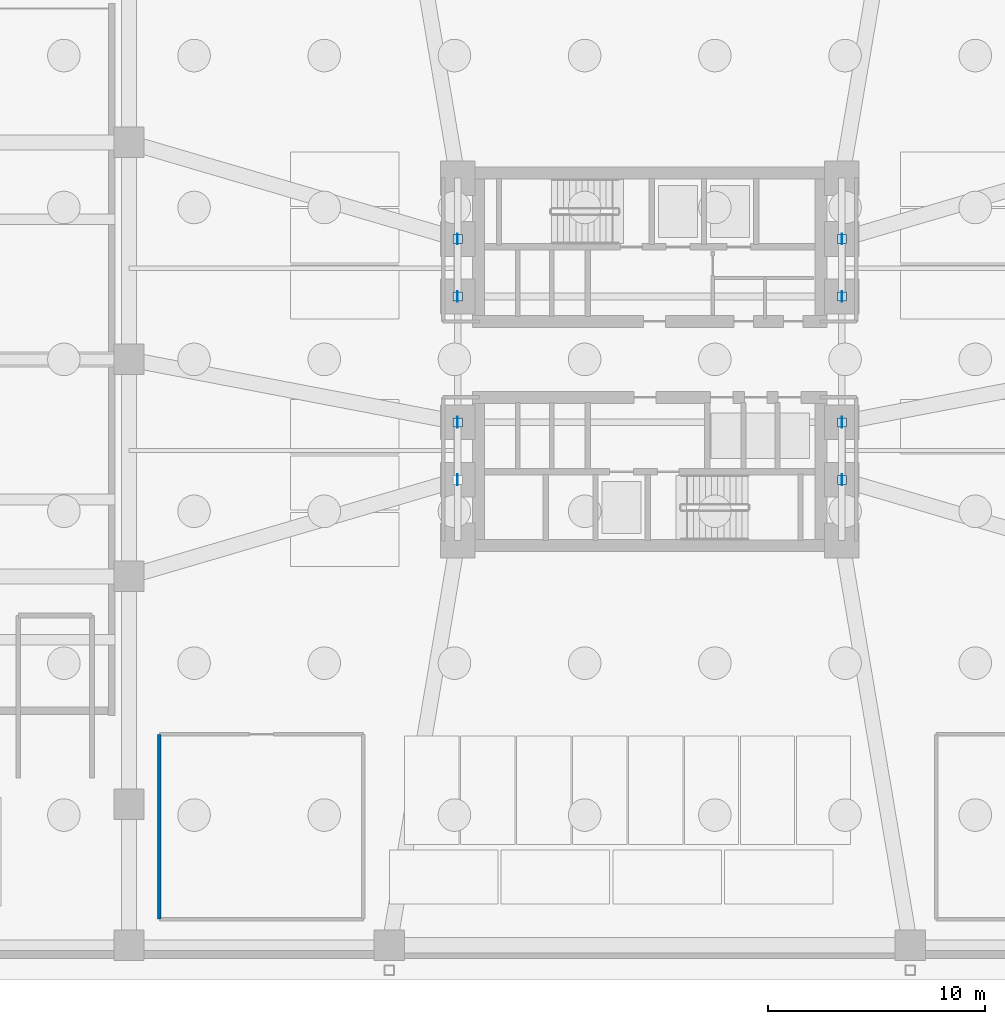
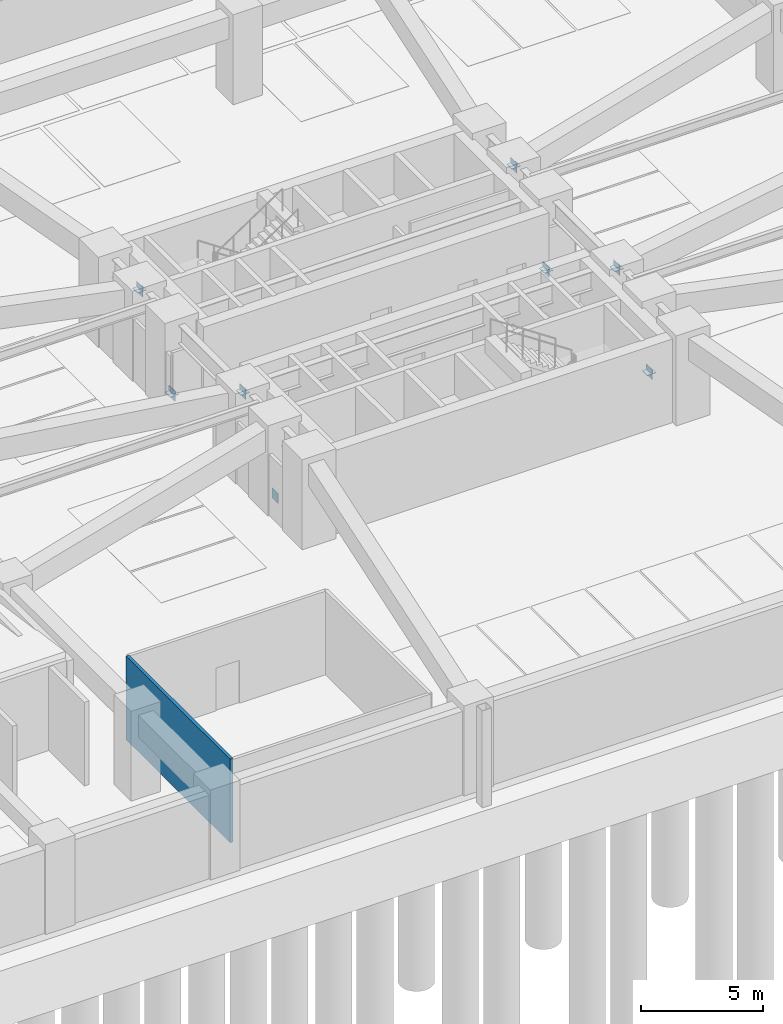
# One storey, part 5 of 14: 15 plates, 1 wall.
"""IFC4 building model written with IfcOpenShell, lengths in metres."""

from ifc_helpers import new_model, si_unit, direction, frame, frame_2d, origin, origin_2d, place, context, subcontext, project, spatial, rectangle, extrude, material, layer, layer_set, type_object, element, save


model = new_model("IFC4")

# Units and contexts
model_context = context("Model", 3, precision=1e-05, world=origin(), true_north=direction((0.0, 1.0)))
body_context = subcontext(model_context, "Body", "Model", "MODEL_VIEW")
ifc_project = project(units=[si_unit("LENGTHUNIT", "METRE"), si_unit("AREAUNIT", "SQUARE_METRE"), si_unit("VOLUMEUNIT", "CUBIC_METRE"), si_unit("PLANEANGLEUNIT", "RADIAN"), si_unit("MASSUNIT", "GRAM", prefix="KILO")], contexts=[model_context])

# Site, building, storey
site_placement = place(None, origin())
site = spatial("IfcSite", under=ifc_project, at=site_placement, CompositionType="ELEMENT")
building_placement = place(site_placement, origin())
building = spatial("IfcBuilding", under=site, at=building_placement, Name="Solmarez Civic Tower", CompositionType="ELEMENT")
storey_placement = place(building_placement, frame((0.0, 0.0, -9.0)))
storey = spatial("IfcBuildingStorey", under=building, at=storey_placement, Name="B2", CompositionType="ELEMENT", Elevation=-9.0)

# Plates
ifc_material_1 = material(Name="Steel S355", Category="steel")
ifc_layer_1 = layer(ifc_material_1, 0.02392578125)
ifc_layer_set_1 = layer_set([ifc_layer_1], Name="Steel S355")
plate_type_1 = type_object("IfcPlateType", Name="PLT-CAP-380", PredefinedType="USERDEFINED", material=ifc_layer_set_1)
for number, where, z_axis, x_axis, name in (
    (1, (-8.85009765625, -2.89990234375, 3.838134765625), (0.0, 0.0, 1.0), (1.0, 0.0, 0.0), "Steel Member End Cap Plate CAP-BRC-B2-CORE-1-1"),
    (2, (-8.85009765625, 2.89990234375, 0.238037109375), (0.0, 0.0, 1.0), (1.0, 0.0, 0.0), "Steel Member End Cap Plate CAP-BRC-B2-CORE-2-0"),
    (3, (-8.85009765625, 5.550048828125, 3.838134765625), (0.0, 0.0, 1.0), (1.0, 0.0, 0.0), "Steel Member End Cap Plate CAP-BRC-B2-CORE-2-1"),
    (4, (8.85009765625, -5.550048828125, 0.238037109375), (0.0, 0.0, 1.0), (1.0, 0.0, 0.0), "Steel Member End Cap Plate CAP-BRC-B2-CORE-3-0"),
    (5, (8.85009765625, -2.89990234375, 3.838134765625), (0.0, 0.0, 1.0), (1.0, 0.0, 0.0), "Steel Member End Cap Plate CAP-BRC-B2-CORE-3-1"),
    (6, (8.85009765625, 2.89990234375, 0.238037109375), (0.0, 0.0, 1.0), (1.0, 0.0, 0.0), "Steel Member End Cap Plate CAP-BRC-B2-CORE-4-0"),
    (7, (8.85009765625, 5.550048828125, 3.838134765625), (0.0, 0.0, 1.0), (1.0, 0.0, 0.0), "Steel Member End Cap Plate CAP-BRC-B2-CORE-4-1"),
):
    element("IfcPlate", number, at=place(storey_placement, frame(where, z_axis=z_axis, x_axis=x_axis)), inside=storey, type_object=plate_type_1, Name=name, ObjectType="CAP_PLATE", PredefinedType="USERDEFINED", context=body_context, shape_type="SweptSolid", body=[
        extrude(rectangle(XDim=0.419921875, YDim=0.419921875, at=origin_2d()), origin(), (0.0, 0.0, 1.0), 0.02392578125),
    ])
ifc_layer_2 = layer(ifc_material_1, 0.02490234375)
ifc_layer_set_2 = layer_set([ifc_layer_2], Name="Steel S355")
plate_type_2 = type_object("IfcPlateType", Name="PLT-GUSSET-25", PredefinedType="USERDEFINED", material=ifc_layer_set_2)
for number, where, z_axis, x_axis, name in (
    (8, (-8.85009765625, -5.550048828125, 0.0), (0.0, 0.0, 1.0), (0.0, 1.0, 0.0), "B2 Structural Gusset Plate GUS-B2-1-0"),
    (9, (-8.85009765625, -2.89990234375, 3.60009765625), (0.0, 0.0, 1.0), (0.0, 1.0, 0.0), "B2 Structural Gusset Plate GUS-B2-1-1"),
    (10, (-8.85009765625, 2.89990234375, 0.0), (0.0, 0.0, 1.0), (0.0, 1.0, 0.0), "B2 Structural Gusset Plate GUS-B2-2-0"),
    (11, (-8.85009765625, 5.550048828125, 3.60009765625), (0.0, 0.0, 1.0), (0.0, 1.0, 0.0), "B2 Structural Gusset Plate GUS-B2-2-1"),
    (12, (8.85009765625, -5.550048828125, 0.0), (0.0, 0.0, 1.0), (0.0, 1.0, 0.0), "B2 Structural Gusset Plate GUS-B2-3-0"),
    (13, (8.85009765625, -2.89990234375, 3.60009765625), (0.0, 0.0, 1.0), (0.0, 1.0, 0.0), "B2 Structural Gusset Plate GUS-B2-3-1"),
    (14, (8.85009765625, 2.89990234375, 0.0), (0.0, 0.0, 1.0), (0.0, 1.0, 0.0), "B2 Structural Gusset Plate GUS-B2-4-0"),
    (15, (8.85009765625, 5.550048828125, 3.60009765625), (0.0, 0.0, 1.0), (0.0, 1.0, 0.0), "B2 Structural Gusset Plate GUS-B2-4-1"),
):
    element("IfcPlate", number, at=place(storey_placement, frame(where, z_axis=z_axis, x_axis=x_axis)), inside=storey, type_object=plate_type_2, Name=name, ObjectType="GUSSET_PLATE", PredefinedType="USERDEFINED", context=body_context, shape_type="SweptSolid", body=[
        extrude(rectangle(XDim=0.5, YDim=0.02490234375, at=origin_2d()), origin(), (0.0, 0.0, 1.0), 0.5),
    ])

# Wall
ifc_material_2 = material(Name="Gypsum Board Acoustic Steel-Stud Partition", Category="steel")
ifc_layer_3 = layer(ifc_material_2, 0.14990234375)
ifc_layer_set_3 = layer_set([ifc_layer_3], Name="Gypsum Board Acoustic Steel-Stud Partition")
wall_type = type_object("IfcWallType", Name="WALL-INT-FIRE-150", PredefinedType="PARTITIONING", material=ifc_layer_set_3)
wall_placement = place(storey_placement, frame((-22.60009765625, -25.800048828125, 0.0), z_axis=(0.0, 0.0, 1.0), x_axis=(0.0, 1.0, 0.0)))
element("IfcWall", 16, at=wall_placement, inside=storey, type_object=wall_type, Name="B2 Interior Partition PT-B2-SW-W", PredefinedType="PARTITIONING", context=body_context, shape_type="SweptSolid", body=[
    extrude(rectangle(XDim=8.52001953125, YDim=0.14990234375, at=frame_2d((4.260009765625, 0.0))), origin(), (0.0, 0.0, 1.0), 4.179931640625),
])

save(model, "model.ifc")
